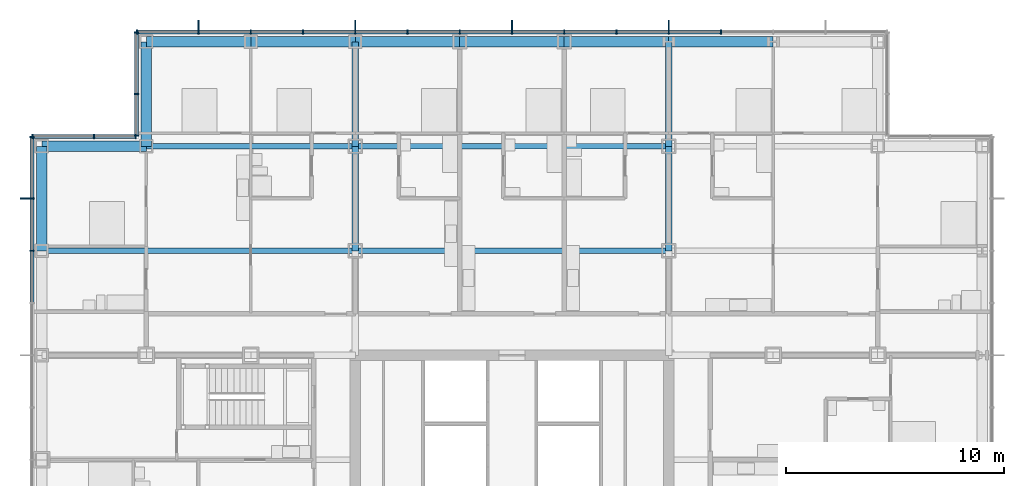
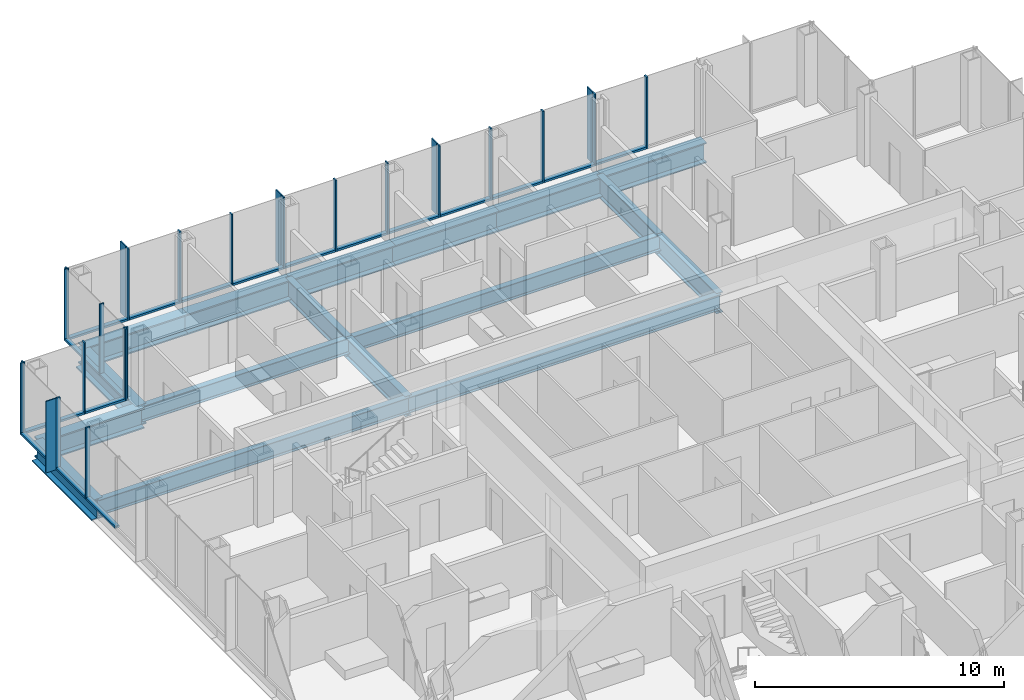
# One storey, part 10 of 21: 44 members, 17 beams, 4 elements without a shape of their own.
"""IFC4 building model written with IfcOpenShell, lengths in metres."""

from ifc_helpers import new_model, si_unit, direction, frame, origin, origin_2d, place, context, subcontext, project, spatial, rectangle, i_section, extrude, material, material_profile, profile_set, type_object, element, aggregate, save


model = new_model("IFC4")

# Units and contexts
model_context = context("Model", 3, precision=1e-05, world=origin(), true_north=direction((0.0, 1.0)))
body_context = subcontext(model_context, "Body", "Model", "MODEL_VIEW")
ifc_project = project(units=[si_unit("LENGTHUNIT", "METRE"), si_unit("AREAUNIT", "SQUARE_METRE"), si_unit("VOLUMEUNIT", "CUBIC_METRE"), si_unit("PLANEANGLEUNIT", "RADIAN"), si_unit("MASSUNIT", "GRAM", prefix="KILO")], contexts=[model_context])

# Site, building, storey
site_placement = place(None, origin())
site = spatial("IfcSite", under=ifc_project, at=site_placement, CompositionType="ELEMENT")
building_placement = place(site_placement, origin())
building = spatial("IfcBuilding", under=site, at=building_placement, Name="Kvirike Care Tower", CompositionType="ELEMENT")
storey_placement = place(building_placement, frame((0.0, 0.0, 48.0)))
storey = spatial("IfcBuildingStorey", under=building, at=storey_placement, Name="L12", CompositionType="ELEMENT", Elevation=48.0)

# Curtain wall, member
ifc_material_1 = material(Name="Anodised aluminium stick system", Category="aluminium")
curtain_wall_type = type_object("IfcCurtainWallType", Name="CW-A STICK CURTAIN WALL", PredefinedType="NOTDEFINED", material=ifc_material_1)
curtain_wall_1_placement = place(storey_placement, origin())
curtain_wall_1 = element("IfcCurtainWall", 1, at=curtain_wall_1_placement, inside=storey, type_object=curtain_wall_type, Name="Curtain wall L12 face 1", PredefinedType="NOTDEFINED")
ifc_material_2 = material(Name="Bronze anodised aluminium fin", Category="aluminium")
ifc_material_profile_1 = material_profile(ifc_material_2, rectangle(XDim=0.050048828125, YDim=0.449951171875, at=origin_2d()), Name="BRONZE FIN 450")
ifc_profile_set_1 = profile_set([ifc_material_profile_1], Name="Bronze anodised aluminium fin")
member_type_1 = type_object("IfcMemberType", Name="BRONZE FIN 450", PredefinedType="USERDEFINED", material=ifc_profile_set_1)
member_1_placement = place(storey_placement, frame((-0.77490234375, 50.39990234375, 0.0), z_axis=(0.0, 0.0, 1.0), x_axis=(0.0, -1.0, 0.0)))
member_1 = element("IfcMember", 2, at=member_1_placement, type_object=member_type_1, Name="Bronze fin L12 face 1.2", ObjectType="FIN", PredefinedType="USERDEFINED", context=body_context, shape_type="SweptSolid", body=[
    extrude(rectangle(XDim=0.050048828125, YDim=0.449951171875, at=origin_2d()), origin(), (0.0, 0.0, 1.0), 3.5),
])

# Curtain wall, members
curtain_wall_2_placement = place(storey_placement, origin())
curtain_wall_2 = element("IfcCurtainWall", 3, at=curtain_wall_2_placement, inside=storey, type_object=curtain_wall_type, Name="Curtain wall L12 face 10", PredefinedType="NOTDEFINED")
member_2_placement = place(storey_placement, frame((28.800048828125, 58.375, 0.0), z_axis=(0.0, 0.0, 1.0), x_axis=(-1.0, 0.0, 0.0)))
member_2 = element("IfcMember", 4, at=member_2_placement, type_object=member_type_1, Name="Bronze fin L12 face 10.5", ObjectType="FIN", PredefinedType="USERDEFINED", context=body_context, shape_type="SweptSolid", body=[
    extrude(rectangle(XDim=0.050048828125, YDim=0.449951171875, at=origin_2d()), origin(), (0.0, 0.0, 1.0), 3.5),
])
member_3_placement = place(storey_placement, frame((21.60009765625, 58.375, 0.0), z_axis=(0.0, 0.0, 1.0), x_axis=(-1.0, 0.0, 0.0)))
member_3 = element("IfcMember", 5, at=member_3_placement, type_object=member_type_1, Name="Bronze fin L12 face 10.8", ObjectType="FIN", PredefinedType="USERDEFINED", context=body_context, shape_type="SweptSolid", body=[
    extrude(rectangle(XDim=0.050048828125, YDim=0.449951171875, at=origin_2d()), origin(), (0.0, 0.0, 1.0), 3.5),
])
member_4_placement = place(storey_placement, frame((14.39990234375, 58.375, 0.0), z_axis=(0.0, 0.0, 1.0), x_axis=(-1.0, 0.0, 0.0)))
member_4 = element("IfcMember", 6, at=member_4_placement, type_object=member_type_1, Name="Bronze fin L12 face 10.11", ObjectType="FIN", PredefinedType="USERDEFINED", context=body_context, shape_type="SweptSolid", body=[
    extrude(rectangle(XDim=0.050048828125, YDim=0.449951171875, at=origin_2d()), origin(), (0.0, 0.0, 1.0), 3.5),
])
member_5_placement = place(storey_placement, frame((7.199951171875, 58.375, 0.0), z_axis=(0.0, 0.0, 1.0), x_axis=(-1.0, 0.0, 0.0)))
member_5 = element("IfcMember", 7, at=member_5_placement, type_object=member_type_1, Name="Bronze fin L12 face 10.14", ObjectType="FIN", PredefinedType="USERDEFINED", context=body_context, shape_type="SweptSolid", body=[
    extrude(rectangle(XDim=0.050048828125, YDim=0.449951171875, at=origin_2d()), origin(), (0.0, 0.0, 1.0), 3.5),
])

# Member
ifc_material_3 = material(Name="Bronze anodised aluminium mullion", Category="aluminium")
ifc_material_profile_2 = material_profile(ifc_material_3, rectangle(XDim=0.06494140625, YDim=0.199951171875, at=origin_2d()), Name="CW-A MULLION 65x200")
ifc_profile_set_2 = profile_set([ifc_material_profile_2], Name="Bronze anodised aluminium mullion")
member_type_2 = type_object("IfcMemberType", Name="CW-A MULLION 65x200", PredefinedType="MULLION", material=ifc_profile_set_2)
member_6_placement = place(storey_placement, frame((-0.449951171875, 53.217529296875, 0.0), z_axis=(0.0, 0.0, 1.0), x_axis=(0.0, -1.0, 0.0)))
member_6 = element("IfcMember", 8, at=member_6_placement, type_object=member_type_2, Name="CW-A mullion L12 face 1.1", PredefinedType="MULLION", context=body_context, shape_type="SweptSolid", body=[
    extrude(rectangle(XDim=0.06494140625, YDim=0.199951171875, at=origin_2d()), origin(), (0.0, 0.0, 1.0), 3.5),
])

member_7_placement = place(storey_placement, frame((-0.449951171875, 50.39990234375, 0.0), z_axis=(0.0, 0.0, 1.0), x_axis=(0.0, -1.0, 0.0)))
member_7 = element("IfcMember", 9, at=member_7_placement, type_object=member_type_2, Name="CW-A mullion L12 face 1.2", PredefinedType="MULLION", context=body_context, shape_type="SweptSolid", body=[
    extrude(rectangle(XDim=0.06494140625, YDim=0.199951171875, at=origin_2d()), origin(), (0.0, 0.0, 1.0), 3.5),
])

member_8_placement = place(storey_placement, frame((-0.449951171875, 48.0, 0.0), z_axis=(0.0, 0.0, 1.0), x_axis=(0.0, -1.0, 0.0)))
member_8 = element("IfcMember", 10, at=member_8_placement, type_object=member_type_2, Name="CW-A mullion L12 face 1.3", PredefinedType="MULLION", context=body_context, shape_type="SweptSolid", body=[
    extrude(rectangle(XDim=0.06494140625, YDim=0.199951171875, at=origin_2d()), origin(), (0.0, 0.0, 1.0), 3.5),
])

member_9_placement = place(storey_placement, frame((31.199951171875, 58.050048828125, 0.0), z_axis=(0.0, 0.0, 1.0), x_axis=(-1.0, 0.0, 0.0)))
member_9 = element("IfcMember", 11, at=member_9_placement, type_object=member_type_2, Name="CW-A mullion L12 face 10.4", PredefinedType="MULLION", context=body_context, shape_type="SweptSolid", body=[
    extrude(rectangle(XDim=0.06494140625, YDim=0.199951171875, at=origin_2d()), origin(), (0.0, 0.0, 1.0), 3.5),
])

member_10_placement = place(storey_placement, frame((28.800048828125, 58.050048828125, 0.0), z_axis=(0.0, 0.0, 1.0), x_axis=(-1.0, 0.0, 0.0)))
member_10 = element("IfcMember", 12, at=member_10_placement, type_object=member_type_2, Name="CW-A mullion L12 face 10.5", PredefinedType="MULLION", context=body_context, shape_type="SweptSolid", body=[
    extrude(rectangle(XDim=0.06494140625, YDim=0.199951171875, at=origin_2d()), origin(), (0.0, 0.0, 1.0), 3.5),
])

member_11_placement = place(storey_placement, frame((26.39990234375, 58.050048828125, 0.0), z_axis=(0.0, 0.0, 1.0), x_axis=(-1.0, 0.0, 0.0)))
member_11 = element("IfcMember", 13, at=member_11_placement, type_object=member_type_2, Name="CW-A mullion L12 face 10.6", PredefinedType="MULLION", context=body_context, shape_type="SweptSolid", body=[
    extrude(rectangle(XDim=0.06494140625, YDim=0.199951171875, at=origin_2d()), origin(), (0.0, 0.0, 1.0), 3.5),
])

member_12_placement = place(storey_placement, frame((24.0, 58.050048828125, 0.0), z_axis=(0.0, 0.0, 1.0), x_axis=(-1.0, 0.0, 0.0)))
member_12 = element("IfcMember", 14, at=member_12_placement, type_object=member_type_2, Name="CW-A mullion L12 face 10.7", PredefinedType="MULLION", context=body_context, shape_type="SweptSolid", body=[
    extrude(rectangle(XDim=0.06494140625, YDim=0.199951171875, at=origin_2d()), origin(), (0.0, 0.0, 1.0), 3.5),
])

member_13_placement = place(storey_placement, frame((21.60009765625, 58.050048828125, 0.0), z_axis=(0.0, 0.0, 1.0), x_axis=(-1.0, 0.0, 0.0)))
member_13 = element("IfcMember", 15, at=member_13_placement, type_object=member_type_2, Name="CW-A mullion L12 face 10.8", PredefinedType="MULLION", context=body_context, shape_type="SweptSolid", body=[
    extrude(rectangle(XDim=0.06494140625, YDim=0.199951171875, at=origin_2d()), origin(), (0.0, 0.0, 1.0), 3.5),
])

member_14_placement = place(storey_placement, frame((19.199951171875, 58.050048828125, 0.0), z_axis=(0.0, 0.0, 1.0), x_axis=(-1.0, 0.0, 0.0)))
member_14 = element("IfcMember", 16, at=member_14_placement, type_object=member_type_2, Name="CW-A mullion L12 face 10.9", PredefinedType="MULLION", context=body_context, shape_type="SweptSolid", body=[
    extrude(rectangle(XDim=0.06494140625, YDim=0.199951171875, at=origin_2d()), origin(), (0.0, 0.0, 1.0), 3.5),
])

member_15_placement = place(storey_placement, frame((16.800048828125, 58.050048828125, 0.0), z_axis=(0.0, 0.0, 1.0), x_axis=(-1.0, 0.0, 0.0)))
member_15 = element("IfcMember", 17, at=member_15_placement, type_object=member_type_2, Name="CW-A mullion L12 face 10.10", PredefinedType="MULLION", context=body_context, shape_type="SweptSolid", body=[
    extrude(rectangle(XDim=0.06494140625, YDim=0.199951171875, at=origin_2d()), origin(), (0.0, 0.0, 1.0), 3.5),
])

member_16_placement = place(storey_placement, frame((14.39990234375, 58.050048828125, 0.0), z_axis=(0.0, 0.0, 1.0), x_axis=(-1.0, 0.0, 0.0)))
member_16 = element("IfcMember", 18, at=member_16_placement, type_object=member_type_2, Name="CW-A mullion L12 face 10.11", PredefinedType="MULLION", context=body_context, shape_type="SweptSolid", body=[
    extrude(rectangle(XDim=0.06494140625, YDim=0.199951171875, at=origin_2d()), origin(), (0.0, 0.0, 1.0), 3.5),
])

member_17_placement = place(storey_placement, frame((12.0, 58.050048828125, 0.0), z_axis=(0.0, 0.0, 1.0), x_axis=(-1.0, 0.0, 0.0)))
member_17 = element("IfcMember", 19, at=member_17_placement, type_object=member_type_2, Name="CW-A mullion L12 face 10.12", PredefinedType="MULLION", context=body_context, shape_type="SweptSolid", body=[
    extrude(rectangle(XDim=0.06494140625, YDim=0.199951171875, at=origin_2d()), origin(), (0.0, 0.0, 1.0), 3.5),
])

member_18_placement = place(storey_placement, frame((9.60009765625, 58.050048828125, 0.0), z_axis=(0.0, 0.0, 1.0), x_axis=(-1.0, 0.0, 0.0)))
member_18 = element("IfcMember", 20, at=member_18_placement, type_object=member_type_2, Name="CW-A mullion L12 face 10.13", PredefinedType="MULLION", context=body_context, shape_type="SweptSolid", body=[
    extrude(rectangle(XDim=0.06494140625, YDim=0.199951171875, at=origin_2d()), origin(), (0.0, 0.0, 1.0), 3.5),
])

member_19_placement = place(storey_placement, frame((7.199951171875, 58.050048828125, 0.0), z_axis=(0.0, 0.0, 1.0), x_axis=(-1.0, 0.0, 0.0)))
member_19 = element("IfcMember", 21, at=member_19_placement, type_object=member_type_2, Name="CW-A mullion L12 face 10.14", PredefinedType="MULLION", context=body_context, shape_type="SweptSolid", body=[
    extrude(rectangle(XDim=0.06494140625, YDim=0.199951171875, at=origin_2d()), origin(), (0.0, 0.0, 1.0), 3.5),
])

member_20_placement = place(storey_placement, frame((4.382568359375, 58.050048828125, 0.0), z_axis=(0.0, 0.0, 1.0), x_axis=(-1.0, 0.0, 0.0)))
member_20 = element("IfcMember", 22, at=member_20_placement, type_object=member_type_2, Name="CW-A mullion L12 face 10.15", PredefinedType="MULLION", context=body_context, shape_type="SweptSolid", body=[
    extrude(rectangle(XDim=0.06494140625, YDim=0.199951171875, at=origin_2d()), origin(), (0.0, 0.0, 1.0), 3.5),
])

# Curtain wall, members
curtain_wall_3_placement = place(storey_placement, origin())
curtain_wall_3 = element("IfcCurtainWall", 23, at=curtain_wall_3_placement, inside=storey, type_object=curtain_wall_type, Name="Curtain wall L12 face 11", PredefinedType="NOTDEFINED")
member_21_placement = place(storey_placement, frame((4.35009765625, 58.017578125, 0.0), z_axis=(0.0, 0.0, 1.0), x_axis=(0.0, -1.0, 0.0)))
member_21 = element("IfcMember", 24, at=member_21_placement, type_object=member_type_2, Name="CW-A mullion L12 face 11.1", PredefinedType="MULLION", context=body_context, shape_type="SweptSolid", body=[
    extrude(rectangle(XDim=0.06494140625, YDim=0.199951171875, at=origin_2d()), origin(), (0.0, 0.0, 1.0), 3.5),
])
member_22_placement = place(storey_placement, frame((4.35009765625, 55.199951171875, 0.0), z_axis=(0.0, 0.0, 1.0), x_axis=(0.0, -1.0, 0.0)))
member_22 = element("IfcMember", 25, at=member_22_placement, type_object=member_type_2, Name="CW-A mullion L12 face 11.2", PredefinedType="MULLION", context=body_context, shape_type="SweptSolid", body=[
    extrude(rectangle(XDim=0.06494140625, YDim=0.199951171875, at=origin_2d()), origin(), (0.0, 0.0, 1.0), 3.5),
])
member_23_placement = place(storey_placement, frame((4.35009765625, 53.282470703125, 0.0), z_axis=(0.0, 0.0, 1.0), x_axis=(0.0, -1.0, 0.0)))
member_23 = element("IfcMember", 26, at=member_23_placement, type_object=member_type_2, Name="CW-A mullion L12 face 11.3", PredefinedType="MULLION", context=body_context, shape_type="SweptSolid", body=[
    extrude(rectangle(XDim=0.06494140625, YDim=0.199951171875, at=origin_2d()), origin(), (0.0, 0.0, 1.0), 3.5),
])

curtain_wall_4_placement = place(storey_placement, origin())
curtain_wall_4 = element("IfcCurtainWall", 27, at=curtain_wall_4_placement, inside=storey, type_object=curtain_wall_type, Name="Curtain wall L12 face 12", PredefinedType="NOTDEFINED")
member_24_placement = place(storey_placement, frame((4.3173828125, 53.25, 0.0), z_axis=(0.0, 0.0, 1.0), x_axis=(-1.0, 0.0, 0.0)))
member_24 = element("IfcMember", 28, at=member_24_placement, type_object=member_type_2, Name="CW-A mullion L12 face 12.1", PredefinedType="MULLION", context=body_context, shape_type="SweptSolid", body=[
    extrude(rectangle(XDim=0.06494140625, YDim=0.199951171875, at=origin_2d()), origin(), (0.0, 0.0, 1.0), 3.5),
])
member_25_placement = place(storey_placement, frame((2.39990234375, 53.25, 0.0), z_axis=(0.0, 0.0, 1.0), x_axis=(-1.0, 0.0, 0.0)))
member_25 = element("IfcMember", 29, at=member_25_placement, type_object=member_type_2, Name="CW-A mullion L12 face 12.2", PredefinedType="MULLION", context=body_context, shape_type="SweptSolid", body=[
    extrude(rectangle(XDim=0.06494140625, YDim=0.199951171875, at=origin_2d()), origin(), (0.0, 0.0, 1.0), 3.5),
])
member_26_placement = place(storey_placement, frame((-0.41748046875, 53.25, 0.0), z_axis=(0.0, 0.0, 1.0), x_axis=(-1.0, 0.0, 0.0)))
member_26 = element("IfcMember", 30, at=member_26_placement, type_object=member_type_2, Name="CW-A mullion L12 face 12.3", PredefinedType="MULLION", context=body_context, shape_type="SweptSolid", body=[
    extrude(rectangle(XDim=0.06494140625, YDim=0.199951171875, at=origin_2d()), origin(), (0.0, 0.0, 1.0), 3.5),
])

# Member
ifc_material_4 = material(Name="Bronze anodised aluminium transom", Category="aluminium")
ifc_material_profile_3 = material_profile(ifc_material_4, rectangle(XDim=0.199951171875, YDim=0.10009765625, at=origin_2d()), Name="CW-A TRANSOM 200x100")
ifc_profile_set_3 = profile_set([ifc_material_profile_3], Name="Bronze anodised aluminium transom")
member_type_3 = type_object("IfcMemberType", Name="CW-A TRANSOM 200x100", PredefinedType="USERDEFINED", material=ifc_profile_set_3)
member_27_placement = place(storey_placement, frame((-0.449951171875, 53.18505859375, 0.050048828125), z_axis=(0.0, -1.0, 0.0), x_axis=(1.0, 0.0, 0.0)))
member_27 = element("IfcMember", 31, at=member_27_placement, type_object=member_type_3, Name="CW-A sill transom L12 face 1.1", ObjectType="TRANSOM", PredefinedType="USERDEFINED", context=body_context, shape_type="SweptSolid", body=[
    extrude(rectangle(XDim=0.199951171875, YDim=0.10009765625, at=origin_2d()), origin(), (0.0, 0.0, 1.0), 2.75244140625),
])

member_28_placement = place(storey_placement, frame((-0.449951171875, 50.367431640625, 0.050048828125), z_axis=(0.0, -1.0, 0.0), x_axis=(1.0, 0.0, 0.0)))
member_28 = element("IfcMember", 32, at=member_28_placement, type_object=member_type_3, Name="CW-A sill transom L12 face 1.2", ObjectType="TRANSOM", PredefinedType="USERDEFINED", context=body_context, shape_type="SweptSolid", body=[
    extrude(rectangle(XDim=0.199951171875, YDim=0.10009765625, at=origin_2d()), origin(), (0.0, 0.0, 1.0), 2.3349609375),
])

member_29_placement = place(storey_placement, frame((-0.449951171875, 47.967529296875, 0.050048828125), z_axis=(0.0, -1.0, 0.0), x_axis=(1.0, 0.0, 0.0)))
member_29 = element("IfcMember", 33, at=member_29_placement, type_object=member_type_3, Name="CW-A sill transom L12 face 1.3", ObjectType="TRANSOM", PredefinedType="USERDEFINED", context=body_context, shape_type="SweptSolid", body=[
    extrude(rectangle(XDim=0.199951171875, YDim=0.10009765625, at=origin_2d()), origin(), (0.0, 0.0, 1.0), 2.3349609375),
])

aggregate(curtain_wall_1, [member_6, member_7, member_1, member_8, member_27, member_28, member_29])

member_30_placement = place(storey_placement, frame((31.16748046875, 58.050048828125, 0.050048828125), z_axis=(-1.0, 0.0, 0.0), x_axis=(0.0, -1.0, 0.0)))
member_30 = element("IfcMember", 34, at=member_30_placement, type_object=member_type_3, Name="CW-A sill transom L12 face 10.4", ObjectType="TRANSOM", PredefinedType="USERDEFINED", context=body_context, shape_type="SweptSolid", body=[
    extrude(rectangle(XDim=0.199951171875, YDim=0.10009765625, at=origin_2d()), origin(), (0.0, 0.0, 1.0), 2.3349609375),
])

member_31_placement = place(storey_placement, frame((28.767578125, 58.050048828125, 0.050048828125), z_axis=(-1.0, 0.0, 0.0), x_axis=(0.0, -1.0, 0.0)))
member_31 = element("IfcMember", 35, at=member_31_placement, type_object=member_type_3, Name="CW-A sill transom L12 face 10.5", ObjectType="TRANSOM", PredefinedType="USERDEFINED", context=body_context, shape_type="SweptSolid", body=[
    extrude(rectangle(XDim=0.199951171875, YDim=0.10009765625, at=origin_2d()), origin(), (0.0, 0.0, 1.0), 2.3349609375),
])

member_32_placement = place(storey_placement, frame((26.367431640625, 58.050048828125, 0.050048828125), z_axis=(-1.0, 0.0, 0.0), x_axis=(0.0, -1.0, 0.0)))
member_32 = element("IfcMember", 36, at=member_32_placement, type_object=member_type_3, Name="CW-A sill transom L12 face 10.6", ObjectType="TRANSOM", PredefinedType="USERDEFINED", context=body_context, shape_type="SweptSolid", body=[
    extrude(rectangle(XDim=0.199951171875, YDim=0.10009765625, at=origin_2d()), origin(), (0.0, 0.0, 1.0), 2.3349609375),
])

member_33_placement = place(storey_placement, frame((23.967529296875, 58.050048828125, 0.050048828125), z_axis=(-1.0, 0.0, 0.0), x_axis=(0.0, -1.0, 0.0)))
member_33 = element("IfcMember", 37, at=member_33_placement, type_object=member_type_3, Name="CW-A sill transom L12 face 10.7", ObjectType="TRANSOM", PredefinedType="USERDEFINED", context=body_context, shape_type="SweptSolid", body=[
    extrude(rectangle(XDim=0.199951171875, YDim=0.10009765625, at=origin_2d()), origin(), (0.0, 0.0, 1.0), 2.3349609375),
])

member_34_placement = place(storey_placement, frame((21.5673828125, 58.050048828125, 0.050048828125), z_axis=(-1.0, 0.0, 0.0), x_axis=(0.0, -1.0, 0.0)))
member_34 = element("IfcMember", 38, at=member_34_placement, type_object=member_type_3, Name="CW-A sill transom L12 face 10.8", ObjectType="TRANSOM", PredefinedType="USERDEFINED", context=body_context, shape_type="SweptSolid", body=[
    extrude(rectangle(XDim=0.199951171875, YDim=0.10009765625, at=origin_2d()), origin(), (0.0, 0.0, 1.0), 2.3349609375),
])

member_35_placement = place(storey_placement, frame((19.16748046875, 58.050048828125, 0.050048828125), z_axis=(-1.0, 0.0, 0.0), x_axis=(0.0, -1.0, 0.0)))
member_35 = element("IfcMember", 39, at=member_35_placement, type_object=member_type_3, Name="CW-A sill transom L12 face 10.9", ObjectType="TRANSOM", PredefinedType="USERDEFINED", context=body_context, shape_type="SweptSolid", body=[
    extrude(rectangle(XDim=0.199951171875, YDim=0.10009765625, at=origin_2d()), origin(), (0.0, 0.0, 1.0), 2.3349609375),
])

member_36_placement = place(storey_placement, frame((16.767578125, 58.050048828125, 0.050048828125), z_axis=(-1.0, 0.0, 0.0), x_axis=(0.0, -1.0, 0.0)))
member_36 = element("IfcMember", 40, at=member_36_placement, type_object=member_type_3, Name="CW-A sill transom L12 face 10.10", ObjectType="TRANSOM", PredefinedType="USERDEFINED", context=body_context, shape_type="SweptSolid", body=[
    extrude(rectangle(XDim=0.199951171875, YDim=0.10009765625, at=origin_2d()), origin(), (0.0, 0.0, 1.0), 2.3349609375),
])

member_37_placement = place(storey_placement, frame((14.367431640625, 58.050048828125, 0.050048828125), z_axis=(-1.0, 0.0, 0.0), x_axis=(0.0, -1.0, 0.0)))
member_37 = element("IfcMember", 41, at=member_37_placement, type_object=member_type_3, Name="CW-A sill transom L12 face 10.11", ObjectType="TRANSOM", PredefinedType="USERDEFINED", context=body_context, shape_type="SweptSolid", body=[
    extrude(rectangle(XDim=0.199951171875, YDim=0.10009765625, at=origin_2d()), origin(), (0.0, 0.0, 1.0), 2.3349609375),
])

member_38_placement = place(storey_placement, frame((11.967529296875, 58.050048828125, 0.050048828125), z_axis=(-1.0, 0.0, 0.0), x_axis=(0.0, -1.0, 0.0)))
member_38 = element("IfcMember", 42, at=member_38_placement, type_object=member_type_3, Name="CW-A sill transom L12 face 10.12", ObjectType="TRANSOM", PredefinedType="USERDEFINED", context=body_context, shape_type="SweptSolid", body=[
    extrude(rectangle(XDim=0.199951171875, YDim=0.10009765625, at=origin_2d()), origin(), (0.0, 0.0, 1.0), 2.3349609375),
])

member_39_placement = place(storey_placement, frame((9.5673828125, 58.050048828125, 0.050048828125), z_axis=(-1.0, 0.0, 0.0), x_axis=(0.0, -1.0, 0.0)))
member_39 = element("IfcMember", 43, at=member_39_placement, type_object=member_type_3, Name="CW-A sill transom L12 face 10.13", ObjectType="TRANSOM", PredefinedType="USERDEFINED", context=body_context, shape_type="SweptSolid", body=[
    extrude(rectangle(XDim=0.199951171875, YDim=0.10009765625, at=origin_2d()), origin(), (0.0, 0.0, 1.0), 2.3349609375),
])

member_40_placement = place(storey_placement, frame((7.16748046875, 58.050048828125, 0.050048828125), z_axis=(-1.0, 0.0, 0.0), x_axis=(0.0, -1.0, 0.0)))
member_40 = element("IfcMember", 44, at=member_40_placement, type_object=member_type_3, Name="CW-A sill transom L12 face 10.14", ObjectType="TRANSOM", PredefinedType="USERDEFINED", context=body_context, shape_type="SweptSolid", body=[
    extrude(rectangle(XDim=0.199951171875, YDim=0.10009765625, at=origin_2d()), origin(), (0.0, 0.0, 1.0), 2.75244140625),
])

aggregate(curtain_wall_2, [member_9, member_10, member_2, member_11, member_12, member_13, member_3, member_14, member_15, member_16, member_4, member_17, member_18, member_19, member_5, member_20, member_30, member_31, member_32, member_33, member_34, member_35, member_36, member_37, member_38, member_39, member_40])

member_41_placement = place(storey_placement, frame((4.35009765625, 57.985107421875, 0.050048828125), z_axis=(0.0, -1.0, 0.0), x_axis=(1.0, 0.0, 0.0)))
member_41 = element("IfcMember", 45, at=member_41_placement, type_object=member_type_3, Name="CW-A sill transom L12 face 11.1", ObjectType="TRANSOM", PredefinedType="USERDEFINED", context=body_context, shape_type="SweptSolid", body=[
    extrude(rectangle(XDim=0.199951171875, YDim=0.10009765625, at=origin_2d()), origin(), (0.0, 0.0, 1.0), 2.752685546875),
])

member_42_placement = place(storey_placement, frame((4.35009765625, 55.16748046875, 0.050048828125), z_axis=(0.0, -1.0, 0.0), x_axis=(1.0, 0.0, 0.0)))
member_42 = element("IfcMember", 46, at=member_42_placement, type_object=member_type_3, Name="CW-A sill transom L12 face 11.2", ObjectType="TRANSOM", PredefinedType="USERDEFINED", context=body_context, shape_type="SweptSolid", body=[
    extrude(rectangle(XDim=0.199951171875, YDim=0.10009765625, at=origin_2d()), origin(), (0.0, 0.0, 1.0), 1.8525390625),
])

aggregate(curtain_wall_3, [member_21, member_22, member_23, member_41, member_42])

member_43_placement = place(storey_placement, frame((4.284912109375, 53.25, 0.050048828125), z_axis=(-1.0, 0.0, 0.0), x_axis=(0.0, -1.0, 0.0)))
member_43 = element("IfcMember", 47, at=member_43_placement, type_object=member_type_3, Name="CW-A sill transom L12 face 12.1", ObjectType="TRANSOM", PredefinedType="USERDEFINED", context=body_context, shape_type="SweptSolid", body=[
    extrude(rectangle(XDim=0.199951171875, YDim=0.10009765625, at=origin_2d()), origin(), (0.0, 0.0, 1.0), 1.852294921875),
])

member_44_placement = place(storey_placement, frame((2.367431640625, 53.25, 0.050048828125), z_axis=(-1.0, 0.0, 0.0), x_axis=(0.0, -1.0, 0.0)))
member_44 = element("IfcMember", 48, at=member_44_placement, type_object=member_type_3, Name="CW-A sill transom L12 face 12.2", ObjectType="TRANSOM", PredefinedType="USERDEFINED", context=body_context, shape_type="SweptSolid", body=[
    extrude(rectangle(XDim=0.199951171875, YDim=0.10009765625, at=origin_2d()), origin(), (0.0, 0.0, 1.0), 2.75244140625),
])

aggregate(curtain_wall_4, [member_24, member_25, member_26, member_43, member_44])

# Beams
ifc_material_5 = material(Name="Steel S355", Category="steel")
ifc_material_profile_4 = material_profile(ifc_material_5, i_section(OverallWidth=0.26806640625, OverallDepth=0.77001953125, WebThickness=0.015625, FlangeThickness=0.025390625, FilletRadius=0.01708984375, at=origin_2d()), Name="IPE 750x196")
ifc_profile_set_4 = profile_set([ifc_material_profile_4], Name="Steel S355")
beam_type_1 = type_object("IfcBeamType", Name="FLOOR BEAM IPE 750x196", PredefinedType="BEAM", material=ifc_profile_set_4)
beam_1_placement = place(storey_placement, frame((0.0, 48.0, -0.554931640625), z_axis=(1.0, 0.0, 0.0), x_axis=(0.0, 1.0, 0.0)))
element("IfcBeam", 49, at=beam_1_placement, inside=storey, type_object=beam_type_1, Name="Floor Beam L3-L6 L12", PredefinedType="BEAM", context=body_context, shape_type="SweptSolid", body=[
    extrude(i_section(OverallWidth=0.26806640625, OverallDepth=0.77001953125, WebThickness=0.015625, FlangeThickness=0.025390625, FilletRadius=0.01708984375, at=origin_2d()), origin(), (0.0, 0.0, 1.0), 14.39990234375),
])
beam_2_placement = place(storey_placement, frame((14.39990234375, 48.0, -0.554931640625), z_axis=(1.0, 0.0, 0.0), x_axis=(0.0, 1.0, 0.0)))
element("IfcBeam", 50, at=beam_2_placement, inside=storey, type_object=beam_type_1, Name="Floor Beam L6-L9 L12", PredefinedType="BEAM", context=body_context, shape_type="SweptSolid", body=[
    extrude(i_section(OverallWidth=0.26806640625, OverallDepth=0.77001953125, WebThickness=0.015625, FlangeThickness=0.025390625, FilletRadius=0.01708984375, at=origin_2d()), origin(), (0.0, 0.0, 1.0), 14.400146484375),
])
beam_3_placement = place(storey_placement, frame((4.800048828125, 52.800048828125, -0.554931640625), z_axis=(1.0, 0.0, 0.0), x_axis=(0.0, 1.0, 0.0)))
element("IfcBeam", 51, at=beam_3_placement, inside=storey, type_object=beam_type_1, Name="Floor Beam M4-M6 L12", PredefinedType="BEAM", context=body_context, shape_type="SweptSolid", body=[
    extrude(i_section(OverallWidth=0.26806640625, OverallDepth=0.77001953125, WebThickness=0.015625, FlangeThickness=0.025390625, FilletRadius=0.01708984375, at=origin_2d()), origin(), (0.0, 0.0, 1.0), 9.599853515625),
])
beam_4_placement = place(storey_placement, frame((14.39990234375, 52.800048828125, -0.554931640625), z_axis=(1.0, 0.0, 0.0), x_axis=(0.0, 1.0, 0.0)))
element("IfcBeam", 52, at=beam_4_placement, inside=storey, type_object=beam_type_1, Name="Floor Beam M6-M9 L12", PredefinedType="BEAM", context=body_context, shape_type="SweptSolid", body=[
    extrude(i_section(OverallWidth=0.26806640625, OverallDepth=0.77001953125, WebThickness=0.015625, FlangeThickness=0.025390625, FilletRadius=0.01708984375, at=origin_2d()), origin(), (0.0, 0.0, 1.0), 14.400146484375),
])
ifc_material_6 = material(Name="Steel S355", Category="steel")
ifc_material_profile_5 = material_profile(ifc_material_6, i_section(OverallWidth=0.300048828125, OverallDepth=1.0, WebThickness=0.01904296875, FlangeThickness=0.035888671875, FilletRadius=0.030029296875, at=origin_2d()), Name="HE 1000 B")
ifc_profile_set_5 = profile_set([ifc_material_profile_5], Name="Steel S355")
beam_type_2 = type_object("IfcBeamType", Name="FRAME BEAM HE 1000 B", PredefinedType="BEAM", material=ifc_profile_set_5)
for number, where, z_axis, x_axis, name in (
    (53, (14.39990234375, 48.0, -0.669921875), (0.0, 1.0, 0.0), (-1.0, 0.0, 0.0), "Frame Beam L6-M6 L12"),
    (54, (14.39990234375, 52.800048828125, -0.669921875), (0.0, 1.0, 0.0), (-1.0, 0.0, 0.0), "Frame Beam M6-N6 L12"),
    (55, (28.800048828125, 48.0, -0.669921875), (0.0, 1.0, 0.0), (-1.0, 0.0, 0.0), "Frame Beam L9-M9 L12"),
    (56, (28.800048828125, 52.800048828125, -0.669921875), (0.0, 1.0, 0.0), (-1.0, 0.0, 0.0), "Frame Beam M9-N9 L12"),
):
    element("IfcBeam", number, at=place(storey_placement, frame(where, z_axis=z_axis, x_axis=x_axis)), inside=storey, type_object=beam_type_2, Name=name, PredefinedType="BEAM", context=body_context, shape_type="SweptSolid", body=[
        extrude(i_section(OverallWidth=0.300048828125, OverallDepth=1.0, WebThickness=0.01904296875, FlangeThickness=0.035888671875, FilletRadius=0.030029296875, at=origin_2d()), origin(), (0.0, 0.0, 1.0), 4.800048828125),
    ])
ifc_material_7 = material(Name="Steel S355", Category="steel")
ifc_material_profile_6 = material_profile(ifc_material_7, i_section(OverallWidth=0.5, OverallDepth=1.0, WebThickness=0.030029296875, FlangeThickness=0.06005859375, at=origin_2d()), Name="PG 1000x500x30x60")
ifc_profile_set_6 = profile_set([ifc_material_profile_6], Name="Steel S355")
beam_type_3 = type_object("IfcBeamType", Name="SPANDREL PG 1000x500x30x60", PredefinedType="SPANDREL", material=ifc_profile_set_6)
for number, where, z_axis, x_axis, name in (
    (57, (0.0, 52.800048828125, -0.669921875), (1.0, 0.0, 0.0), (0.0, 1.0, 0.0), "Spandrel M3-M4 L12"),
    (58, (4.800048828125, 57.60009765625, -0.669921875), (1.0, 0.0, 0.0), (0.0, 1.0, 0.0), "Spandrel N4-N5 L12"),
):
    element("IfcBeam", number, at=place(storey_placement, frame(where, z_axis=z_axis, x_axis=x_axis)), inside=storey, type_object=beam_type_3, Name=name, PredefinedType="SPANDREL", context=body_context, shape_type="SweptSolid", body=[
        extrude(i_section(OverallWidth=0.5, OverallDepth=1.0, WebThickness=0.030029296875, FlangeThickness=0.06005859375, at=origin_2d()), origin(), (0.0, 0.0, 1.0), 4.800048828125),
    ])
beam_5_placement = place(storey_placement, frame((9.60009765625, 57.60009765625, -0.669921875), z_axis=(1.0, 0.0, 0.0), x_axis=(0.0, 1.0, 0.0)))
element("IfcBeam", 59, at=beam_5_placement, inside=storey, type_object=beam_type_3, Name="Spandrel N5-N6 L12", PredefinedType="SPANDREL", context=body_context, shape_type="SweptSolid", body=[
    extrude(i_section(OverallWidth=0.5, OverallDepth=1.0, WebThickness=0.030029296875, FlangeThickness=0.06005859375, at=origin_2d()), origin(), (0.0, 0.0, 1.0), 4.7998046875),
])
for number, where, z_axis, x_axis, name in (
    (60, (14.39990234375, 57.60009765625, -0.669921875), (1.0, 0.0, 0.0), (0.0, 1.0, 0.0), "Spandrel N6-N7 L12"),
    (61, (19.199951171875, 57.60009765625, -0.669921875), (1.0, 0.0, 0.0), (0.0, 1.0, 0.0), "Spandrel N7-N8 L12"),
    (62, (24.0, 57.60009765625, -0.669921875), (1.0, 0.0, 0.0), (0.0, 1.0, 0.0), "Spandrel N8-N9 L12"),
    (63, (28.800048828125, 57.60009765625, -0.669921875), (1.0, 0.0, 0.0), (0.0, 1.0, 0.0), "Spandrel N9-N10 L12"),
    (64, (0.0, 48.0, -0.669921875), (0.0, 1.0, 0.0), (-1.0, 0.0, 0.0), "Spandrel L3-M3 L12"),
    (65, (4.800048828125, 52.800048828125, -0.669921875), (0.0, 1.0, 0.0), (-1.0, 0.0, 0.0), "Spandrel M4-N4 L12"),
):
    element("IfcBeam", number, at=place(storey_placement, frame(where, z_axis=z_axis, x_axis=x_axis)), inside=storey, type_object=beam_type_3, Name=name, PredefinedType="SPANDREL", context=body_context, shape_type="SweptSolid", body=[
        extrude(i_section(OverallWidth=0.5, OverallDepth=1.0, WebThickness=0.030029296875, FlangeThickness=0.06005859375, at=origin_2d()), origin(), (0.0, 0.0, 1.0), 4.800048828125),
    ])

save(model, "model.ifc")
